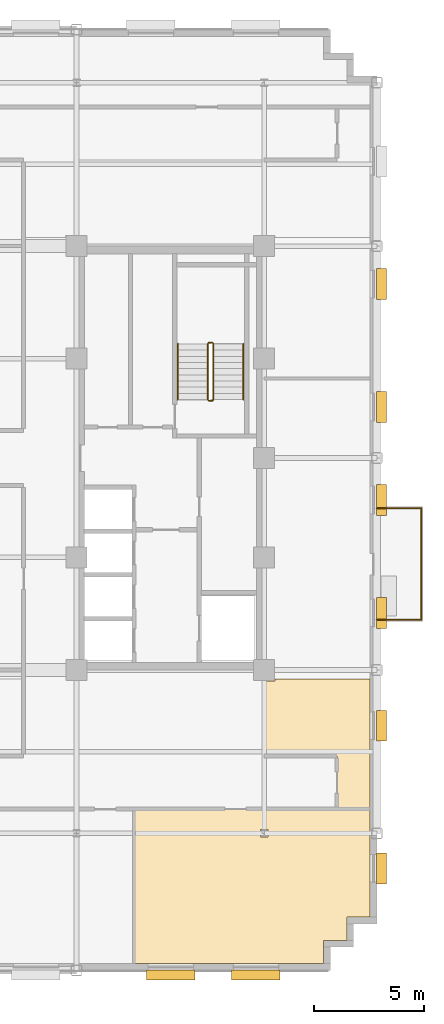
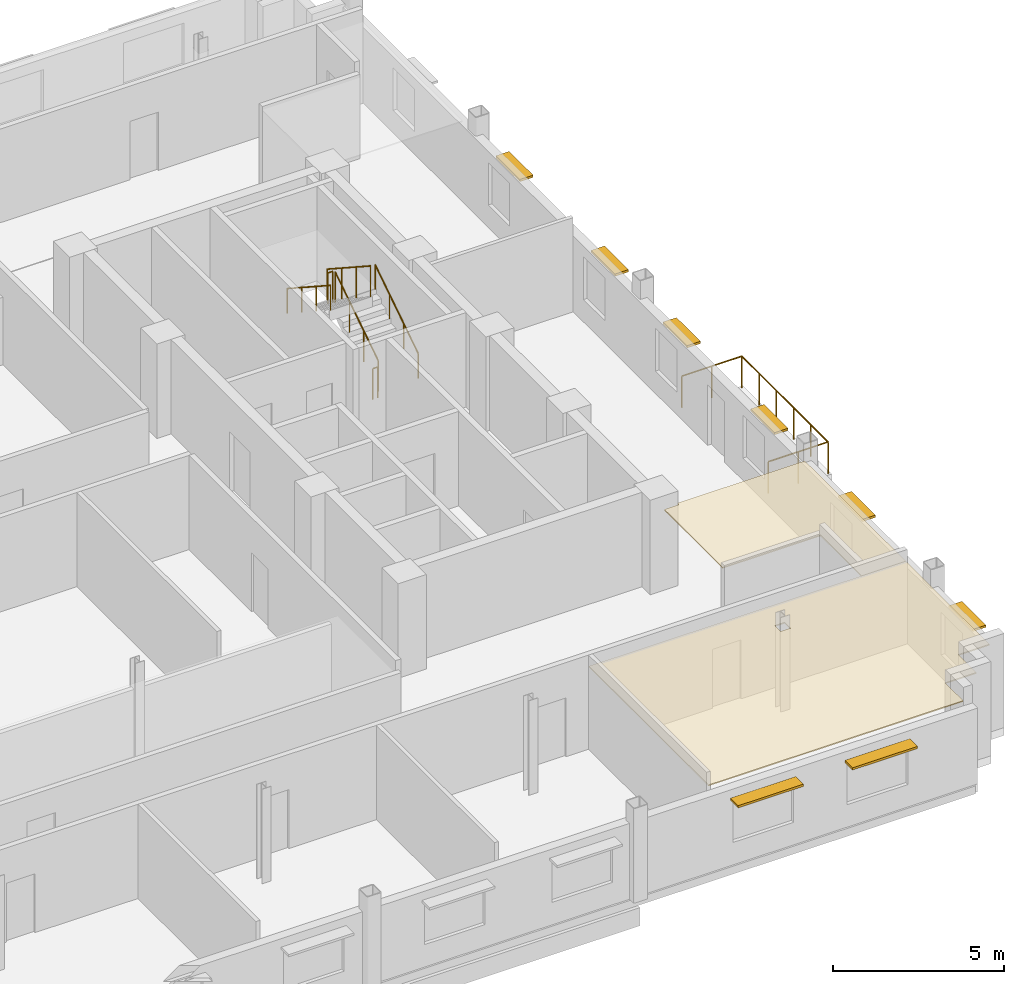
# One storey, part 14 of 15: 8 shading devices, 7 railings, 2 coverings.
"""IFC4 building model written with IfcOpenShell, lengths in metres."""

from ifc_helpers import new_model, si_unit, direction, frame, origin, origin_2d, place, context, subcontext, project, spatial, polyline, rectangle, circle, outline, extrude, source, transform, mapped, material, layer, layer_set, type_object, type_shapes, element, save


model = new_model("IFC4")

# Units and contexts
model_context = context("Model", 3, precision=1e-05, world=origin(), true_north=direction((0.0, 1.0)))
body_context = subcontext(model_context, "Body", "Model", "MODEL_VIEW")
ifc_project = project(units=[si_unit("LENGTHUNIT", "METRE"), si_unit("AREAUNIT", "SQUARE_METRE"), si_unit("VOLUMEUNIT", "CUBIC_METRE"), si_unit("PLANEANGLEUNIT", "RADIAN"), si_unit("MASSUNIT", "GRAM", prefix="KILO")], contexts=[model_context])

# Site, building, storey
site_placement = place(None, origin())
site = spatial("IfcSite", under=ifc_project, at=site_placement, CompositionType="ELEMENT")
building_placement = place(site_placement, origin())
building = spatial("IfcBuilding", under=site, at=building_placement, Name="Nuvemarco Arch Tower", CompositionType="ELEMENT")
storey_placement = place(building_placement, frame((0.0, 0.0, 194.550048828125)))
storey = spatial("IfcBuildingStorey", under=building, at=storey_placement, Name="L51", CompositionType="ELEMENT", Elevation=194.550048828125)

# Coverings
ifc_material_1 = material(Name="Mineral acoustic ceiling tile")
ifc_layer = layer(ifc_material_1, 0.0400390625, Name="COV-ACOUSTIC-CLG")
ifc_layer_set = layer_set([ifc_layer], Name="Mineral acoustic ceiling tile")
covering_type = type_object("IfcCoveringType", Name="COV-ACOUSTIC-CLG", PredefinedType="CEILING", material=ifc_layer_set)
covering_1_placement = place(storey_placement, frame((0.0, 0.0, 2.849853515625)))
element("IfcCovering", 1, at=covering_1_placement, inside=storey, type_object=covering_type, Name="L51 suspended acoustic ceiling 2", PredefinedType="CEILING", context=body_context, shape_type="SweptSolid", body=[
    extrude(outline(polyline([(17.5, -10.090087890625), (17.989990234375, -10.090087890625), (17.989990234375, -10.0), (22.2900390625, -10.0), (22.2900390625, -15.89990234375), (20.800048828125, -15.89990234375), (20.800048828125, -13.5), (17.5, -13.5), (17.5, -10.090087890625)])), origin(), (0.0, 0.0, 1.0), 0.0400390625),
])
covering_2_placement = place(storey_placement, frame((0.0, 0.0, 2.849853515625)))
element("IfcCovering", 2, at=covering_2_placement, inside=storey, type_object=covering_type, Name="L51 suspended acoustic ceiling 4", PredefinedType="CEILING", context=body_context, shape_type="SweptSolid", body=[
    extrude(outline(polyline([(20.18994140625, -22.889892578125), (11.60009765625, -22.889892578125), (11.60009765625, -15.89990234375), (20.800048828125, -15.89990234375), (22.2900390625, -15.89990234375), (22.2900390625, -20.7900390625), (21.239990234375, -20.7900390625), (21.239990234375, -21.840087890625), (20.18994140625, -21.840087890625), (20.18994140625, -22.889892578125)]), holes=[polyline([(17.669921875, -17.169921875), (17.669921875, -16.830078125), (17.330078125, -16.830078125), (17.330078125, -17.169921875), (17.669921875, -17.169921875)])]), origin(), (0.0, 0.0, 1.0), 0.0400390625),
])

# Railings
ifc_material_2 = material(Name="Brushed stainless steel handrail", Category="steel")
railing_type_1 = type_object("IfcRailingType", Name="RL-HANDRAIL-900", PredefinedType="HANDRAIL", material=ifc_material_2)
railing_1_placement = place(storey_placement, frame((16.550048828125, 2.64990234375, 0.182373046875)))
element("IfcRailing", 3, at=railing_1_placement, inside=storey, type_object=railing_type_1, Name="L51 ST-2 stair handrail 1", PredefinedType="HANDRAIL", context=body_context, shape_type="SweptSolid", body=[
    extrude(circle(Radius=0.02392578125, at=origin_2d()), frame((0.0, 0.0, 0.8759765625), z_axis=(0.0, 0.837749427056, 0.546054848405), x_axis=(-1.0, 0.0, 0.0)), (0.0, 0.0, 1.0), 3.008056640625),
    extrude(circle(Radius=0.02099609375, at=origin_2d()), origin(), (0.0, 0.0, 1.0), 0.851806640625),
    extrude(circle(Radius=0.02099609375, at=origin_2d()), frame((0.0, 0.840087890625, 0.547607421875)), (0.0, 0.0, 1.0), 0.851806640625),
    extrude(circle(Radius=0.02099609375, at=origin_2d()), frame((0.0, 1.679931640625, 1.094970703125)), (0.0, 0.0, 1.0), 0.851806640625),
    extrude(circle(Radius=0.02099609375, at=origin_2d()), frame((0.0, 2.52001953125, 1.642578125)), (0.0, 0.0, 1.0), 0.851806640625),
])
railing_2_placement = place(storey_placement, frame((13.590087890625, 5.169921875, 2.007568359375)))
element("IfcRailing", 4, at=railing_2_placement, inside=storey, type_object=railing_type_1, Name="L51 ST-2 stair handrail 2", PredefinedType="HANDRAIL", context=body_context, shape_type="SweptSolid", body=[
    extrude(circle(Radius=0.02392578125, at=origin_2d()), frame((0.0, 0.0, 0.8759765625), z_axis=(0.0, -0.837786554691, 0.545997883492), x_axis=(1.0, 0.0, 0.0)), (0.0, 0.0, 1.0), 3.008056640625),
    extrude(circle(Radius=0.02099609375, at=origin_2d()), origin(), (0.0, 0.0, 1.0), 0.851806640625),
    extrude(circle(Radius=0.02099609375, at=origin_2d()), frame((0.0, -0.840087890625, 0.54736328125)), (0.0, 0.0, 1.0), 0.851806640625),
    extrude(circle(Radius=0.02099609375, at=origin_2d()), frame((0.0, -1.679931640625, 1.094970703125)), (0.0, 0.0, 1.0), 0.851806640625),
    extrude(circle(Radius=0.02099609375, at=origin_2d()), frame((0.0, -2.52001953125, 1.642333984375)), (0.0, 0.0, 1.0), 0.851806640625),
])
ifc_material_3 = material(Name="Painted balustrade steel S355", Category="steel")
railing_type_2 = type_object("IfcRailingType", Name="RL-STAIR-GUARD", PredefinedType="GUARDRAIL", material=ifc_material_3)
railing_3_placement = place(storey_placement, frame((15.199951171875, 2.64990234375, 0.182373046875)))
element("IfcRailing", 5, at=railing_3_placement, inside=storey, type_object=railing_type_2, Name="L51 ST-2 stair guard 1", PredefinedType="GUARDRAIL", context=body_context, shape_type="SweptSolid", body=[
    extrude(circle(Radius=0.02392578125, at=origin_2d()), frame((0.0, 0.0, 1.09619140625), z_axis=(0.0, 0.837749427056, 0.546054848405), x_axis=(-1.0, 0.0, 0.0)), (0.0, 0.0, 1.0), 3.008056640625),
    extrude(circle(Radius=0.02099609375, at=origin_2d()), origin(), (0.0, 0.0, 1.0), 1.072021484375),
    extrude(circle(Radius=0.02099609375, at=origin_2d()), frame((0.0, 0.840087890625, 0.547607421875)), (0.0, 0.0, 1.0), 1.072021484375),
    extrude(circle(Radius=0.02099609375, at=origin_2d()), frame((0.0, 1.679931640625, 1.094970703125)), (0.0, 0.0, 1.0), 1.072021484375),
    extrude(circle(Radius=0.02099609375, at=origin_2d()), frame((0.0, 2.52001953125, 1.642578125)), (0.0, 0.0, 1.0), 1.072021484375),
])
railing_4_placement = place(storey_placement, frame((15.14990234375, 5.219970703125, 1.824951171875)))
element("IfcRailing", 6, at=railing_4_placement, inside=storey, type_object=railing_type_2, Name="L51 ST-2 stair guard 2", PredefinedType="GUARDRAIL", context=body_context, shape_type="SweptSolid", body=[
    extrude(circle(Radius=0.02392578125, at=origin_2d()), frame((0.0, 0.0, 1.09619140625), z_axis=(-1.0, 0.0, 0.0), x_axis=(0.0, -1.0, 0.0)), (0.0, 0.0, 1.0), 0.159912109375),
    extrude(circle(Radius=0.02099609375, at=origin_2d()), origin(), (0.0, 0.0, 1.0), 1.072021484375),
    extrude(circle(Radius=0.02099609375, at=origin_2d()), frame((-0.159912109375, 0.0, 0.0)), (0.0, 0.0, 1.0), 1.072021484375),
])
railing_5_placement = place(storey_placement, frame((14.93994140625, 5.169921875, 2.007568359375)))
element("IfcRailing", 7, at=railing_5_placement, inside=storey, type_object=railing_type_2, Name="L51 ST-2 stair guard 3", PredefinedType="GUARDRAIL", context=body_context, shape_type="SweptSolid", body=[
    extrude(circle(Radius=0.02392578125, at=origin_2d()), frame((0.0, 0.0, 1.09619140625), z_axis=(0.0, -0.837786554691, 0.545997883492), x_axis=(1.0, 0.0, 0.0)), (0.0, 0.0, 1.0), 3.008056640625),
    extrude(circle(Radius=0.02099609375, at=origin_2d()), origin(), (0.0, 0.0, 1.0), 1.072021484375),
    extrude(circle(Radius=0.02099609375, at=origin_2d()), frame((0.0, -0.840087890625, 0.54736328125)), (0.0, 0.0, 1.0), 1.072021484375),
    extrude(circle(Radius=0.02099609375, at=origin_2d()), frame((0.0, -1.679931640625, 1.094970703125)), (0.0, 0.0, 1.0), 1.072021484375),
    extrude(circle(Radius=0.02099609375, at=origin_2d()), frame((0.0, -2.52001953125, 1.642333984375)), (0.0, 0.0, 1.0), 1.072021484375),
])
railing_6_placement = place(storey_placement, frame((15.14990234375, 2.60009765625, 0.0)))
element("IfcRailing", 8, at=railing_6_placement, inside=storey, type_object=railing_type_2, Name="L51 ST-2 stair guard 4", PredefinedType="GUARDRAIL", context=body_context, shape_type="SweptSolid", body=[
    extrude(circle(Radius=0.02392578125, at=origin_2d()), frame((0.0, 0.0, 1.09619140625), z_axis=(-1.0, 0.0, 0.0), x_axis=(0.0, -1.0, 0.0)), (0.0, 0.0, 1.0), 0.159912109375),
    extrude(circle(Radius=0.02099609375, at=origin_2d()), origin(), (0.0, 0.0, 1.0), 1.072021484375),
    extrude(circle(Radius=0.02099609375, at=origin_2d()), frame((-0.159912109375, 0.0, 0.0)), (0.0, 0.0, 1.0), 1.072021484375),
])
ifc_material_4 = material(Name="Dark anodised balustrade steel S355", Category="steel")
railing_type_3 = type_object("IfcRailingType", Name="RL-TERR-GUARD", PredefinedType="BALUSTRADE", material=ifc_material_4)
railing_7_placement = place(storey_placement, frame((22.60009765625, -7.320068359375, 0.0)))
element("IfcRailing", 9, at=railing_7_placement, inside=storey, type_object=railing_type_3, Name="L51 tree balcony perimeter balustrade guard", PredefinedType="BALUSTRADE", context=body_context, shape_type="SweptSolid", body=[
    extrude(circle(Radius=0.02392578125, at=origin_2d()), frame((0.0, 0.0, 1.1259765625), z_axis=(1.0, 0.0, 0.0), x_axis=(0.0, 1.0, 0.0)), (0.0, 0.0, 1.0), 2.02001953125),
    extrude(circle(Radius=0.02392578125, at=origin_2d()), frame((2.02001953125, 0.0, 1.1259765625), z_axis=(0.0, 1.0, 0.0), x_axis=(-1.0, 0.0, 0.0)), (0.0, 0.0, 1.0), 5.0400390625),
    extrude(circle(Radius=0.02392578125, at=origin_2d()), frame((2.02001953125, 5.0400390625, 1.1259765625), z_axis=(-1.0, 0.0, 0.0), x_axis=(0.0, -1.0, 0.0)), (0.0, 0.0, 1.0), 2.02001953125),
    extrude(circle(Radius=0.02099609375, at=origin_2d()), origin(), (0.0, 0.0, 1.0), 1.101806640625),
    extrude(circle(Radius=0.02099609375, at=origin_2d()), frame((1.010009765625, 0.0, 0.0)), (0.0, 0.0, 1.0), 1.101806640625),
    extrude(circle(Radius=0.02099609375, at=origin_2d()), frame((2.02001953125, 0.0, 0.0)), (0.0, 0.0, 1.0), 1.101806640625),
    extrude(circle(Radius=0.02099609375, at=origin_2d()), frame((2.02001953125, 1.008056640625, 0.0)), (0.0, 0.0, 1.0), 1.101806640625),
    extrude(circle(Radius=0.02099609375, at=origin_2d()), frame((2.02001953125, 2.01611328125, 0.0)), (0.0, 0.0, 1.0), 1.101806640625),
    extrude(circle(Radius=0.02099609375, at=origin_2d()), frame((2.02001953125, 3.02392578125, 0.0)), (0.0, 0.0, 1.0), 1.101806640625),
    extrude(circle(Radius=0.02099609375, at=origin_2d()), frame((2.02001953125, 4.031982421875, 0.0)), (0.0, 0.0, 1.0), 1.101806640625),
    extrude(circle(Radius=0.02099609375, at=origin_2d()), frame((2.02001953125, 5.0400390625, 0.0)), (0.0, 0.0, 1.0), 1.101806640625),
    extrude(circle(Radius=0.02099609375, at=origin_2d()), frame((1.010009765625, 5.0400390625, 0.0)), (0.0, 0.0, 1.0), 1.101806640625),
    extrude(circle(Radius=0.02099609375, at=origin_2d()), frame((0.0, 5.0400390625, 0.0)), (0.0, 0.0, 1.0), 1.101806640625),
])

# Shading devices
ifc_material_5 = material(Name="Anodised aluminium 6063-T6", Category="aluminium")
shading_device_type_1 = type_object("IfcShadingDeviceType", Name="SHD-BRISE-SOLEIL", PredefinedType="USERDEFINED", material=ifc_material_5)
shared_shape_1 = source(origin(), body_context, "Body", "SweptSolid", [
    extrude(rectangle(XDim=2.199951171875, YDim=0.449951171875, at=origin_2d()), origin(), (0.0, 0.0, 1.0), 0.080078125),
])
type_shapes(shading_device_type_1, [shared_shape_1])
for number, where, z_axis, x_axis, name in (
    (10, (13.2666015625, -23.4150390625, 2.324951171875), (0.0, 0.0, 1.0), (1.0, 0.0, 0.0), "L51 horizontal brise-soleil sunshade"),
    (11, (17.122314453125, -23.4150390625, 2.324951171875), (0.0, 0.0, 1.0), (1.0, 0.0, 0.0), "L51 horizontal brise-soleil sunshade"),
):
    element("IfcShadingDevice", number, at=place(storey_placement, frame(where, z_axis=z_axis, x_axis=x_axis)), inside=storey, type_object=shading_device_type_1, Name=name, ObjectType="SUNSHADE", PredefinedType="USERDEFINED", context=body_context, shape_type="MappedRepresentation", body=[
        mapped(shared_shape_1, transform((0.0, 0.0, 0.0), scale=1.0)),
    ])
shading_device_type_2 = type_object("IfcShadingDeviceType", Name="SHD-BRISE-NARROW", PredefinedType="USERDEFINED", material=ifc_material_5)
shared_shape_2 = source(origin(), body_context, "Body", "SweptSolid", [
    extrude(rectangle(XDim=1.39990234375, YDim=0.449951171875, at=origin_2d()), origin(), (0.0, 0.0, 1.0), 0.080078125),
])
type_shapes(shading_device_type_2, [shared_shape_2])
for number, where, z_axis, x_axis, name in (
    (12, (22.81494140625, -18.587646484375, 2.324951171875), (0.0, 0.0, 1.0), (0.0, 1.0, 0.0), "L51 horizontal brise-soleil sunshade"),
    (13, (22.81494140625, -12.125, 2.324951171875), (0.0, 0.0, 1.0), (0.0, 1.0, 0.0), "L51 horizontal brise-soleil sunshade"),
    (14, (22.81494140625, -7.0126953125, 2.324951171875), (0.0, 0.0, 1.0), (0.0, 1.0, 0.0), "L51 horizontal brise-soleil sunshade"),
    (15, (22.81494140625, -1.89990234375, 2.324951171875), (0.0, 0.0, 1.0), (0.0, 1.0, 0.0), "L51 horizontal brise-soleil sunshade"),
    (16, (22.81494140625, 2.3125, 2.324951171875), (0.0, 0.0, 1.0), (0.0, 1.0, 0.0), "L51 horizontal brise-soleil sunshade"),
    (17, (22.81494140625, 7.875, 2.324951171875), (0.0, 0.0, 1.0), (0.0, 1.0, 0.0), "L51 horizontal brise-soleil sunshade"),
):
    element("IfcShadingDevice", number, at=place(storey_placement, frame(where, z_axis=z_axis, x_axis=x_axis)), inside=storey, type_object=shading_device_type_2, Name=name, ObjectType="SUNSHADE", PredefinedType="USERDEFINED", context=body_context, shape_type="MappedRepresentation", body=[
        mapped(shared_shape_2, transform((0.0, 0.0, 0.0), scale=1.0)),
    ])

save(model, "model.ifc")
